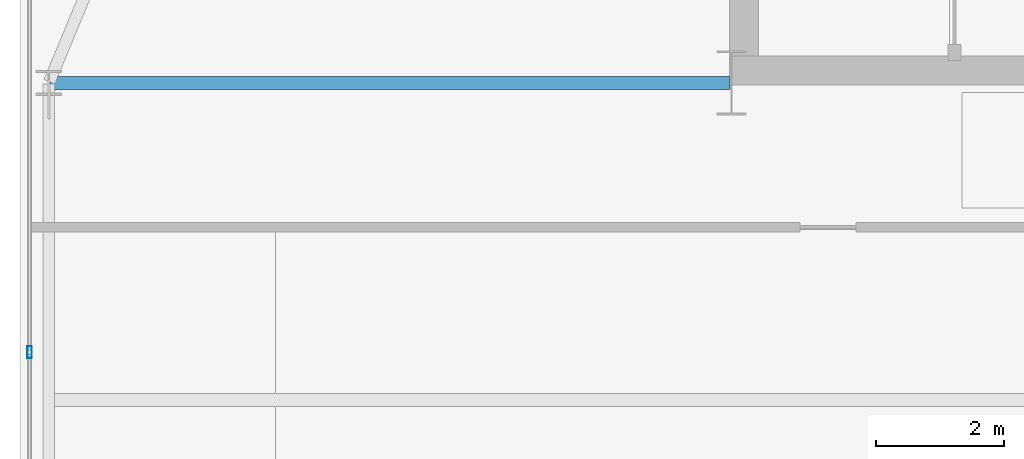
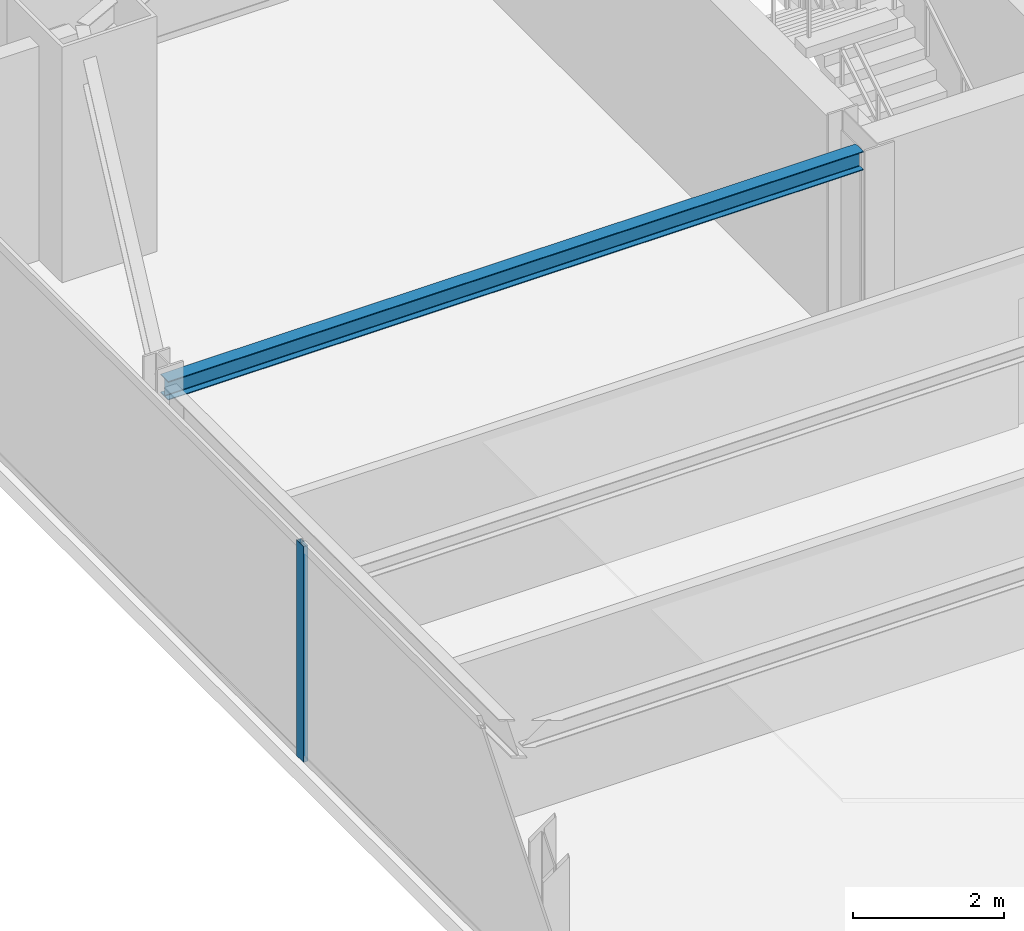
# One storey, part 10 of 33: 1 beam, 1 member, 1 element without a shape of its own.
"""IFC4 building model written with IfcOpenShell, lengths in metres."""

from ifc_helpers import new_model, si_unit, direction, frame, origin, origin_2d, place, context, subcontext, project, spatial, hollow_rectangle, i_section, extrude, source, transform, mapped, material, layer, layer_set, material_profile, profile_set, type_object, type_shapes, element, aggregate, save


model = new_model("IFC4")

# Units and contexts
model_context = context("Model", 3, precision=1e-05, world=origin(), true_north=direction((0.0, 1.0)))
body_context = subcontext(model_context, "Body", "Model", "MODEL_VIEW")
ifc_project = project(units=[si_unit("LENGTHUNIT", "METRE"), si_unit("AREAUNIT", "SQUARE_METRE"), si_unit("VOLUMEUNIT", "CUBIC_METRE"), si_unit("PLANEANGLEUNIT", "RADIAN"), si_unit("MASSUNIT", "GRAM", prefix="KILO")], contexts=[model_context])

# Site, building, storey
site_placement = place(None, origin())
site = spatial("IfcSite", under=ifc_project, at=site_placement, CompositionType="ELEMENT")
building_placement = place(site_placement, origin())
building = spatial("IfcBuilding", under=site, at=building_placement, Name="Varnel Quay Broadcast Tower", CompositionType="ELEMENT")
storey_placement = place(building_placement, frame((0.0, 0.0, 137.199951171875)))
storey = spatial("IfcBuildingStorey", under=building, at=storey_placement, Name="L33", CompositionType="ELEMENT", Elevation=137.199951171875)

# Beam
ifc_material_1 = material(Name="Structural Steel CSA G40.21 350W", Category="steel")
ifc_material_profile_1 = material_profile(ifc_material_1, i_section(OverallWidth=0.202880859375, OverallDepth=0.302978515625, WebThickness=0.007568359375, FlangeThickness=0.01318359375, FilletRadius=0.011962890625, at=origin_2d()), Name="W310X60")
ifc_profile_set_1 = profile_set([ifc_material_profile_1], Name="Structural Steel CSA G40.21 350W")
beam_type = type_object("IfcBeamType", Name="Beam_W310X60", PredefinedType="JOIST", material=ifc_profile_set_1)
shared_shape_1 = source(origin(), body_context, "Body", "SweptSolid", [
    extrude(i_section(OverallWidth=0.202880859375, OverallDepth=0.302978515625, WebThickness=0.007568359375, FlangeThickness=0.01318359375, FilletRadius=0.011962890625, at=origin_2d()), origin(), (0.0, 0.0, 1.0), 10.610107421875),
])
type_shapes(beam_type, [shared_shape_1])
beam_placement = place(storey_placement, frame((4.969970703125, 35.60009765625, 3.32861328125), z_axis=(1.0, 0.0, 0.0), x_axis=(0.0, 1.0, 0.0)))
element("IfcBeam", 1, at=beam_placement, inside=storey, type_object=beam_type, Name="L33 West Core Tie Joist", PredefinedType="JOIST", context=body_context, shape_type="MappedRepresentation", body=[
    mapped(shared_shape_1, transform((0.0, 0.0, 0.0), x_axis=(1.0, 0.0, 0.0), y_axis=(0.0, 1.0, 0.0), z_axis=(0.0, 0.0, 1.0), scale=1.0)),
])

# Curtain wall, member
ifc_material_2 = material(Name="Anodised Bronze Aluminium 6063-T6", Category="aluminium")
ifc_layer = layer(ifc_material_2, 0.18994140625, Name="Anodised Bronze Aluminium 6063-T6")
ifc_layer_set = layer_set([ifc_layer], Name="Anodised Bronze Aluminium 6063-T6")
curtain_wall_type = type_object("IfcCurtainWallType", Name="CW_LowerTower", PredefinedType="NOTDEFINED", material=ifc_layer_set)
curtain_wall_placement = place(storey_placement, origin())
curtain_wall = element("IfcCurtainWall", 2, at=curtain_wall_placement, inside=storey, type_object=curtain_wall_type, Name="L33 West Unitised Curtain Wall", PredefinedType="NOTDEFINED")
ifc_material_profile_2 = material_profile(ifc_material_2, hollow_rectangle(XDim=0.070068359375, YDim=0.18994140625, WallThickness=0.00390625, at=origin_2d()), Name="ALU70X190X4")
ifc_profile_set_2 = profile_set([ifc_material_profile_2], Name="Anodised Bronze Aluminium 6063-T6")
member_type = type_object("IfcMemberType", Name="Mull_CWS-02", PredefinedType="MULLION", material=ifc_profile_set_2)
shared_shape_2 = source(origin(), body_context, "Body", "SweptSolid", [
    extrude(hollow_rectangle(XDim=0.070068359375, YDim=0.18994140625, WallThickness=0.00390625, at=origin_2d()), origin(), (0.0, 0.0, 1.0), 3.47998046875),
])
type_shapes(member_type, [shared_shape_2])
member_placement = place(storey_placement, frame((4.64990234375, 31.39990234375, 0.0), z_axis=(0.0, 0.0, 1.0), x_axis=(-1.0, 0.0, 0.0)))
member = element("IfcMember", 3, at=member_placement, type_object=member_type, Name="CWS-02 mullion 3", PredefinedType="MULLION", context=body_context, shape_type="MappedRepresentation", body=[
    mapped(shared_shape_2, transform((0.0, 0.0, 0.0), x_axis=(1.0, 0.0, 0.0), y_axis=(0.0, 1.0, 0.0), z_axis=(0.0, 0.0, 1.0), scale=1.0)),
])
aggregate(curtain_wall, [member])

save(model, "model.ifc")
